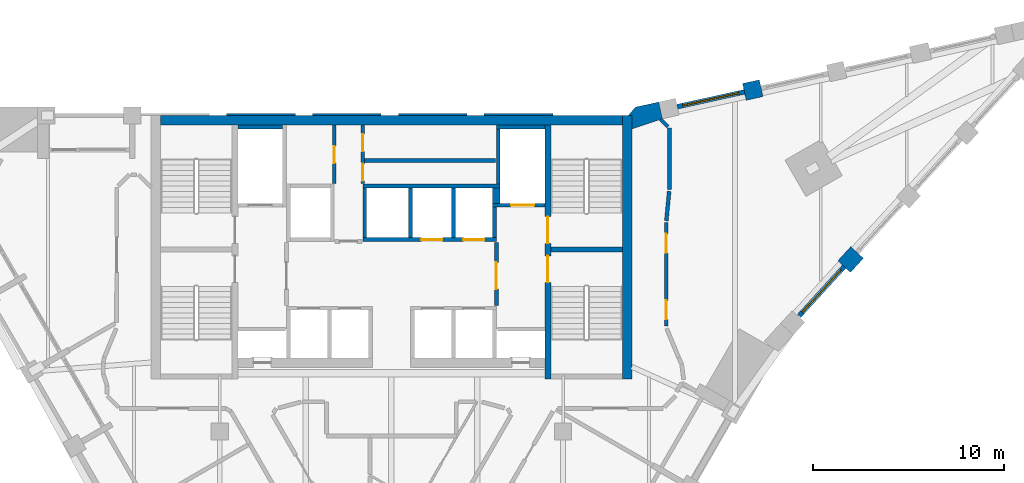
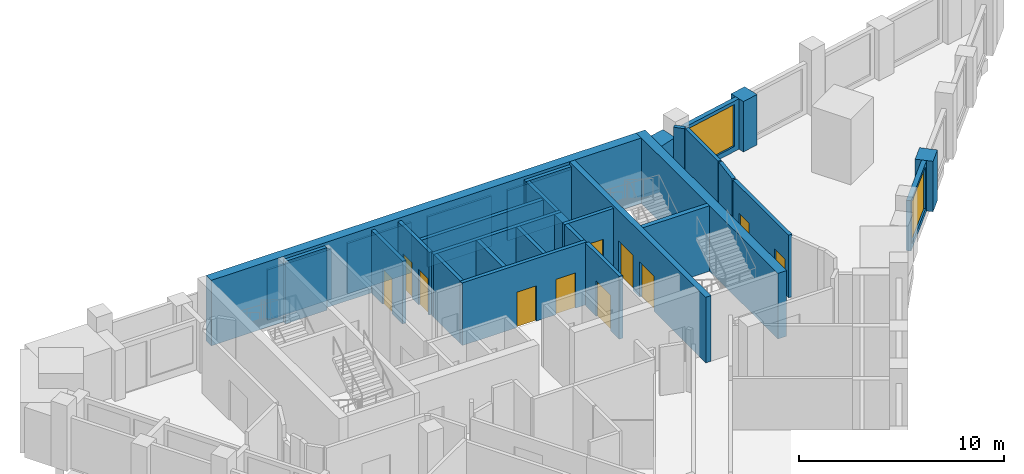
# One storey, part 6 of 8: 32 walls, 11 doors, 2 windows, 13 openings.
"""IFC4 building model written with IfcOpenShell, lengths in metres."""

from ifc_helpers import new_model, si_unit, direction, frame, frame_2d, origin, place, context, subcontext, project, spatial, polyline, rectangle, outline, extrude, material, layer, layer_set, type_object, element, fill, save


model = new_model("IFC4")

# Units and contexts
model_context = context("Model", 3, precision=1e-05, world=origin(), true_north=direction((0.0, 1.0)))
body_context = subcontext(model_context, "Body", "Model", "MODEL_VIEW")
ifc_project = project(units=[si_unit("LENGTHUNIT", "METRE"), si_unit("AREAUNIT", "SQUARE_METRE"), si_unit("VOLUMEUNIT", "CUBIC_METRE"), si_unit("PLANEANGLEUNIT", "RADIAN"), si_unit("MASSUNIT", "GRAM", prefix="KILO")], contexts=[model_context])

# Site, building, storey
site_placement = place(None, origin())
site = spatial("IfcSite", under=ifc_project, at=site_placement, CompositionType="ELEMENT")
building_placement = place(site_placement, origin())
building = spatial("IfcBuilding", under=site, at=building_placement, Name="Calabash Gate Tower", CompositionType="ELEMENT")
storey_placement = place(building_placement, frame((0.0, 0.0, 267.699951171875)))
storey = spatial("IfcBuildingStorey", under=building, at=storey_placement, Name="L64", CompositionType="ELEMENT", Elevation=267.699951171875)

# Walls
ifc_material_1 = material(Name="Terracotta brick masonry, exposed face", Category="masonry")
ifc_layer_1 = layer(ifc_material_1, 0.89990234375)
ifc_layer_set_1 = layer_set([ifc_layer_1], Name="Brick end wall 900")
wall_type_1 = type_object("IfcWallType", Name="Brick end wall 900", PredefinedType="SOLIDWALL", material=ifc_layer_set_1)
wall_1_placement = place(storey_placement, frame((23.728515625, 11.135009765625, 0.0), z_axis=(0.0, 0.0, 1.0), x_axis=(0.674788120713, 0.738011512203, 0.0)))
element("IfcWall", 1, at=wall_1_placement, inside=storey, type_object=wall_type_1, Name="Brick pier S18 wedge3.1", PredefinedType="SOLIDWALL", context=body_context, shape_type="SweptSolid", body=[
    extrude(rectangle(XDim=1.00390625, YDim=0.89990234375, at=frame_2d((0.501953125, 0.0))), origin(), (0.0, 0.0, 1.0), 3.0),
])
wall_2_placement = place(storey_placement, frame((18.4990234375, 20.2919921875, 0.0), z_axis=(0.0, 0.0, 1.0), x_axis=(0.976473402733, 0.215637876437, 0.0)))
element("IfcWall", 2, at=wall_2_placement, inside=storey, type_object=wall_type_1, Name="Brick pier S18 wedge5.3", PredefinedType="SOLIDWALL", context=body_context, shape_type="SweptSolid", body=[
    extrude(rectangle(XDim=0.900146484375, YDim=0.89990234375, at=frame_2d((0.4501953125, 0.0))), origin(), (0.0, 0.0, 1.0), 3.0),
])
wall_3_placement = place(storey_placement, origin())
element("IfcWall", 3, at=wall_3_placement, inside=storey, type_object=wall_type_1, Name="Brick end wall S18 3", PredefinedType="SOLIDWALL", context=body_context, shape_type="SweptSolid", body=[
    extrude(outline(polyline([(14.201416015625, 18.883056640625), (14.0078125, 19.761962890625), (12.784423828125, 19.491943359375), (12.410400390625, 19.052490234375), (12.60009765625, 19.052490234375), (12.60009765625, 18.351806640625), (14.201416015625, 18.883056640625)])), origin(), (0.0, 0.0, 1.0), 3.0),
])
ifc_material_2 = material(Name="Concrete C60/75", Category="concrete")
ifc_layer_2 = layer(ifc_material_2, 0.25)
ifc_layer_set_2 = layer_set([ifc_layer_2], Name="Core wall 250 Concrete C60/75")
wall_type_2 = type_object("IfcWallType", Name="Core wall 250 Concrete C60/75", PredefinedType="SHEAR", material=ifc_layer_set_2)
wall_4_placement = place(storey_placement, frame((8.35009765625, 12.027587890625, 0.0), z_axis=(0.0, 0.0, 1.0), x_axis=(1.0, 0.0, 0.0)))
element("IfcWall", 4, at=wall_4_placement, inside=storey, type_object=wall_type_2, Name="Core wall Z5-MIDE L64", PredefinedType="SHEAR", context=body_context, shape_type="SweptSolid", body=[
    extrude(rectangle(XDim=3.75, YDim=0.25, at=frame_2d((1.875, 0.0))), origin(), (0.0, 0.0, 1.0), 3.900146484375),
])

# Wall, openings, doors
ifc_material_3 = material(Name="Concrete C60/75", Category="concrete")
ifc_layer_3 = layer(ifc_material_3, 0.300048828125)
ifc_layer_set_3 = layer_set([ifc_layer_3], Name="Core wall 300 Concrete C60/75")
wall_type_3 = type_object("IfcWallType", Name="Core wall 300 Concrete C60/75", PredefinedType="SHEAR", material=ifc_layer_set_3)
wall_5_placement = place(storey_placement, frame((8.199951171875, 5.252685546875, 0.0), z_axis=(0.0, 0.0, 1.0), x_axis=(0.0, 1.0, 0.0)))
wall_5 = element("IfcWall", 5, at=wall_5_placement, inside=storey, type_object=wall_type_3, Name="Core wall Z5-PARTE L64", PredefinedType="SHEAR", context=body_context, shape_type="SweptSolid", body=[
    extrude(rectangle(XDim=13.2998046875, YDim=0.300048828125, at=frame_2d((6.64990234375, 0.0))), origin(), (0.0, 0.0, 1.0), 3.900146484375),
])
opening_1_placement = place(wall_5_placement, frame((7.10009765625, 0.0, 0.0)))
opening_1 = element("IfcOpeningElement", 6, at=opening_1_placement, cuts=wall_5, Name="Opening O10-011", PredefinedType="OPENING", context=body_context, shape_type="SweptSolid", body=[
    extrude(rectangle(XDim=1.39990234375, YDim=2.10009765625, at=frame_2d((0.699951171875, 1.050048828125))), frame((0.0, 0.159912109375, 0.0), z_axis=(0.0, -1.0, 0.0), x_axis=(1.0, 0.0, 0.0)), (0.0, 0.0, 1.0), 0.320068359375),
])
opening_2_placement = place(wall_5_placement, frame((5.050048828125, 0.0, 0.0)))
opening_2 = element("IfcOpeningElement", 7, at=opening_2_placement, cuts=wall_5, Name="Opening O10-012", PredefinedType="OPENING", context=body_context, shape_type="SweptSolid", body=[
    extrude(rectangle(XDim=1.39990234375, YDim=2.10009765625, at=frame_2d((0.699951171875, 1.050048828125))), frame((0.0, 0.159912109375, 0.0), z_axis=(0.0, -1.0, 0.0), x_axis=(1.0, 0.0, 0.0)), (0.0, 0.0, 1.0), 0.320068359375),
])
ifc_material_4 = material(Name="Steel fire door set with fire-resisting glazing", Category="steel")
door_type_1 = type_object("IfcDoorType", Name="Fire door D05 1400x2100 FD90", OperationType="NOTDEFINED", PredefinedType="DOOR", material=ifc_material_4)
door_1_placement = place(opening_1_placement, origin())
door_1 = element("IfcDoor", 8, at=door_1_placement, inside=storey, type_object=door_type_1, Name="Exit stair door ST3", OperationType="SINGLE_SWING_RIGHT", OverallHeight=2.10009765625, OverallWidth=1.39990234375, PredefinedType="DOOR", context=body_context, shape_type="SweptSolid", body=[
    extrude(rectangle(XDim=1.39990234375, YDim=2.10009765625, at=frame_2d((0.699951171875, 1.050048828125))), frame((0.0, 0.02490234375, 0.0), z_axis=(0.0, -1.0, 0.0), x_axis=(1.0, 0.0, 0.0)), (0.0, 0.0, 1.0), 0.050048828125),
])
fill(opening_1, door_1)
door_2_placement = place(opening_2_placement, origin())
door_2 = element("IfcDoor", 9, at=door_2_placement, inside=storey, type_object=door_type_1, Name="Exit stair door ST4", OperationType="SINGLE_SWING_LEFT", OverallHeight=2.10009765625, OverallWidth=1.39990234375, PredefinedType="DOOR", context=body_context, shape_type="SweptSolid", body=[
    extrude(rectangle(XDim=1.39990234375, YDim=2.10009765625, at=frame_2d((0.699951171875, 1.050048828125))), frame((0.0, 0.02490234375, 0.0), z_axis=(0.0, -1.0, 0.0), x_axis=(1.0, 0.0, 0.0)), (0.0, 0.0, 1.0), 0.050048828125),
])
fill(opening_2, door_2)

# Walls
ifc_material_5 = material(Name="Concrete C60/75", Category="concrete")
ifc_layer_4 = layer(ifc_material_5, 0.5)
ifc_layer_set_4 = layer_set([ifc_layer_4], Name="Core wall 500 Concrete C60/75")
wall_type_4 = type_object("IfcWallType", Name="Core wall 500 Concrete C60/75", PredefinedType="SHEAR", material=ifc_layer_set_4)
wall_6_placement = place(storey_placement, frame((-12.10009765625, 18.802490234375, 0.0), z_axis=(0.0, 0.0, 1.0), x_axis=(1.0, 0.0, 0.0)))
element("IfcWall", 10, at=wall_6_placement, inside=storey, type_object=wall_type_4, Name="Core wall Z5-N L64", PredefinedType="SHEAR", context=body_context, shape_type="SweptSolid", body=[
    extrude(rectangle(XDim=24.2001953125, YDim=0.5, at=frame_2d((12.10009765625, 0.0))), origin(), (0.0, 0.0, 1.0), 3.900146484375),
])
wall_7_placement = place(storey_placement, frame((12.35009765625, 5.252685546875, 0.0), z_axis=(0.0, 0.0, 1.0), x_axis=(0.0, 1.0, 0.0)))
element("IfcWall", 11, at=wall_7_placement, inside=storey, type_object=wall_type_4, Name="Core wall Z5-COLE L64", PredefinedType="SHEAR", context=body_context, shape_type="SweptSolid", body=[
    extrude(rectangle(XDim=13.7998046875, YDim=0.5, at=frame_2d((6.89990234375, 0.0))), origin(), (0.0, 0.0, 1.0), 3.900146484375),
])

# Wall, openings, doors
ifc_material_6 = material(Name="Gypsum board on steel studs, mineral wool", Category="steel")
ifc_layer_5 = layer(ifc_material_6, 0.199951171875)
ifc_layer_set_5 = layer_set([ifc_layer_5], Name="Partition 200 gypsum board EI 60")
wall_type_5 = type_object("IfcWallType", Name="Partition 200 gypsum board EI 60", PredefinedType="PARTITIONING", material=ifc_layer_set_5)
wall_8_placement = place(storey_placement, frame((14.400390625, 8.017333984375, 0.0), z_axis=(0.0, 0.0, 1.0), x_axis=(0.0, 1.0, 0.0)))
wall_8 = element("IfcWall", 12, at=wall_8_placement, inside=storey, type_object=wall_type_5, Name="Partition", PredefinedType="PARTITIONING", context=body_context, shape_type="SweptSolid", body=[
    extrude(rectangle(XDim=5.419189453125, YDim=0.199951171875, at=frame_2d((2.70947265625, 0.0))), origin(), (0.0, 0.0, 1.0), 3.72998046875),
])
opening_3_placement = place(wall_8_placement, frame((3.83544921875, 0.0, 0.0)))
opening_3 = element("IfcOpeningElement", 13, at=opening_3_placement, cuts=wall_8, Name="Opening 62-64-008", PredefinedType="OPENING", context=body_context, shape_type="SweptSolid", body=[
    extrude(rectangle(XDim=1.0, YDim=2.10009765625, at=frame_2d((0.5, 1.050048828125))), frame((0.0, 0.10986328125, 0.0), z_axis=(0.0, -1.0, 0.0), x_axis=(1.0, 0.0, 0.0)), (0.0, 0.0, 1.0), 0.219970703125),
])
opening_4_placement = place(wall_8_placement, frame((0.35009765625, 0.0, 0.0)))
opening_4 = element("IfcOpeningElement", 14, at=opening_4_placement, cuts=wall_8, Name="Opening 62-64-009", PredefinedType="OPENING", context=body_context, shape_type="SweptSolid", body=[
    extrude(rectangle(XDim=1.0, YDim=2.10009765625, at=frame_2d((0.5, 1.050048828125))), frame((0.0, 0.10986328125, 0.0), z_axis=(0.0, -1.0, 0.0), x_axis=(1.0, 0.0, 0.0)), (0.0, 0.0, 1.0), 0.219970703125),
])
ifc_material_7 = material(Name="Steel fire door set with fire-resisting glazing", Category="steel")
door_type_2 = type_object("IfcDoorType", Name="LD2 Meeting room door 1000x2100", OperationType="NOTDEFINED", PredefinedType="DOOR", material=ifc_material_7)
door_3_placement = place(opening_3_placement, origin())
door_3 = element("IfcDoor", 15, at=door_3_placement, inside=storey, type_object=door_type_2, Name="Meeting room door", OperationType="SINGLE_SWING_RIGHT", OverallHeight=2.10009765625, OverallWidth=1.0, PredefinedType="DOOR", context=body_context, shape_type="SweptSolid", body=[
    extrude(rectangle(XDim=1.0, YDim=2.10009765625, at=frame_2d((0.5, 1.050048828125))), frame((0.0, 0.02490234375, 0.0), z_axis=(0.0, -1.0, 0.0), x_axis=(1.0, 0.0, 0.0)), (0.0, 0.0, 1.0), 0.050048828125),
])
fill(opening_3, door_3)
door_4_placement = place(opening_4_placement, origin())
door_4 = element("IfcDoor", 16, at=door_4_placement, inside=storey, type_object=door_type_2, Name="Meeting room door", OperationType="SINGLE_SWING_LEFT", OverallHeight=2.10009765625, OverallWidth=1.0, PredefinedType="DOOR", context=body_context, shape_type="SweptSolid", body=[
    extrude(rectangle(XDim=1.0, YDim=2.10009765625, at=frame_2d((0.5, 1.050048828125))), frame((0.0, 0.02490234375, 0.0), z_axis=(0.0, -1.0, 0.0), x_axis=(1.0, 0.0, 0.0)), (0.0, 0.0, 1.0), 0.050048828125),
])
fill(opening_4, door_4)

# Walls
wall_9_placement = place(storey_placement, frame((14.409912109375, 13.5361328125, 0.0), z_axis=(0.0, 0.0, 1.0), x_axis=(0.094453682086, 0.9955292572, 0.0)))
element("IfcWall", 17, at=wall_9_placement, inside=storey, type_object=wall_type_5, Name="Partition", PredefinedType="PARTITIONING", context=body_context, shape_type="SweptSolid", body=[
    extrude(rectangle(XDim=1.555908203125, YDim=0.199951171875, at=frame_2d((0.77783203125, 0.0))), origin(), (0.0, 0.0, 1.0), 3.72998046875),
])
wall_10_placement = place(storey_placement, frame((14.566162109375, 18.392578125, 0.0), z_axis=(0.0, 0.0, 1.0), x_axis=(0.0, -1.0, 0.0)))
element("IfcWall", 18, at=wall_10_placement, inside=storey, type_object=wall_type_5, Name="Partition", PredefinedType="PARTITIONING", context=body_context, shape_type="SweptSolid", body=[
    extrude(rectangle(XDim=3.2080078125, YDim=0.199951171875, at=frame_2d((1.60400390625, 0.0))), origin(), (0.0, 0.0, 1.0), 3.72998046875),
])
wall_11_placement = place(storey_placement, frame((14.107177734375, 18.851806640625, 0.0), z_axis=(0.0, 0.0, 1.0), x_axis=(0.707106781187, -0.707106781187, 0.0)))
element("IfcWall", 19, at=wall_11_placement, inside=storey, type_object=wall_type_5, Name="Partition", PredefinedType="PARTITIONING", context=body_context, shape_type="SweptSolid", body=[
    extrude(rectangle(XDim=0.54931640625, YDim=0.199951171875, at=frame_2d((0.274658203125, 0.0))), origin(), (0.0, 0.0, 1.0), 3.72998046875),
])

# Wall, opening, window
ifc_material_8 = material(Name="Aluminium framed window wall with insulated spandrel", Category="aluminium")
ifc_layer_6 = layer(ifc_material_8, 0.25)
ifc_layer_set_6 = layer_set([ifc_layer_6], Name="Prow window wall 250")
wall_type_6 = type_object("IfcWallType", Name="Prow window wall 250", PredefinedType="ELEMENTEDWALL", material=ifc_layer_set_6)
wall_12_placement = place(storey_placement, frame((21.367919921875, 8.5537109375, 0.0), z_axis=(0.0, 0.0, 1.0), x_axis=(0.67487449122, 0.737932531537, 0.0)))
wall_12 = element("IfcWall", 20, at=wall_12_placement, inside=storey, type_object=wall_type_6, Name="Prow window wall S18 wedge3.1", PredefinedType="ELEMENTEDWALL", context=body_context, shape_type="SweptSolid", body=[
    extrude(rectangle(XDim=3.5, YDim=0.25, at=frame_2d((1.75, 0.0))), origin(), (0.0, 0.0, 1.0), 3.0),
])
opening_5_placement = place(wall_12_placement, frame((0.25, 0.0, 0.300048828125)))
opening_5 = element("IfcOpeningElement", 21, at=opening_5_placement, cuts=wall_12, Name="Opening WP2", PredefinedType="OPENING", context=body_context, shape_type="SweptSolid", body=[
    extrude(rectangle(XDim=3.0, YDim=2.5, at=frame_2d((1.5, 1.25))), frame((0.0, 0.135009765625, 0.0), z_axis=(0.0, -1.0, 0.0), x_axis=(1.0, 0.0, 0.0)), (0.0, 0.0, 1.0), 0.27001953125),
])
ifc_material_9 = material(Name="Anodised aluminium frame, bronze finish, impact-rated laminated clear glazing", Category="aluminium")
window_type = type_object("IfcWindowType", Name="Window WP2 3000x2500", PartitioningType="DOUBLE_PANEL_VERTICAL", PredefinedType="WINDOW", material=ifc_material_9)
window_1_placement = place(opening_5_placement, origin())
window_1 = element("IfcWindow", 22, at=window_1_placement, inside=storey, type_object=window_type, Name="Prow window WP2 S18 wedge3.1", OverallHeight=2.5, OverallWidth=3.0, PartitioningType="SINGLE_PANEL", PredefinedType="WINDOW", context=body_context, shape_type="SweptSolid", body=[
    extrude(rectangle(XDim=3.0, YDim=2.5, at=frame_2d((1.5, 1.25))), frame((0.0, 0.030029296875, 0.0), z_axis=(0.0, -1.0, 0.0), x_axis=(1.0, 0.0, 0.0)), (0.0, 0.0, 1.0), 0.06005859375),
])
fill(opening_5, window_1)

wall_13_placement = place(storey_placement, frame((18.4990234375, 20.2919921875, 0.0), z_axis=(0.0, 0.0, 1.0), x_axis=(-0.976513072969, -0.215458159096, 0.0)))
wall_13 = element("IfcWall", 23, at=wall_13_placement, inside=storey, type_object=wall_type_6, Name="Prow window wall S18 wedge5.4", PredefinedType="ELEMENTEDWALL", context=body_context, shape_type="SweptSolid", body=[
    extrude(rectangle(XDim=3.599853515625, YDim=0.25, at=frame_2d((1.7998046875, 0.0))), origin(), (0.0, 0.0, 1.0), 3.0),
])
opening_6_placement = place(wall_13_placement, frame((0.300048828125, 0.0, 0.300048828125)))
opening_6 = element("IfcOpeningElement", 24, at=opening_6_placement, cuts=wall_13, Name="Opening WP2", PredefinedType="OPENING", context=body_context, shape_type="SweptSolid", body=[
    extrude(rectangle(XDim=3.0, YDim=2.5, at=frame_2d((1.5, 1.25))), frame((0.0, 0.135009765625, 0.0), z_axis=(0.0, -1.0, 0.0), x_axis=(1.0, 0.0, 0.0)), (0.0, 0.0, 1.0), 0.27001953125),
])
window_2_placement = place(opening_6_placement, origin())
window_2 = element("IfcWindow", 25, at=window_2_placement, inside=storey, type_object=window_type, Name="Prow window WP2 S18 wedge5.4", OverallHeight=2.5, OverallWidth=3.0, PartitioningType="SINGLE_PANEL", PredefinedType="WINDOW", context=body_context, shape_type="SweptSolid", body=[
    extrude(rectangle(XDim=3.0, YDim=2.5, at=frame_2d((1.5, 1.25))), frame((0.0, 0.030029296875, 0.0), z_axis=(0.0, -1.0, 0.0), x_axis=(1.0, 0.0, 0.0)), (0.0, 0.0, 1.0), 0.06005859375),
])
fill(opening_6, window_2)

# Wall, opening, door
ifc_material_10 = material(Name="Concrete C40/50", Category="concrete")
ifc_layer_7 = layer(ifc_material_10, 0.199951171875)
ifc_layer_set_7 = layer_set([ifc_layer_7], Name="Shaft wall 200 Concrete C40/50")
wall_type_7 = type_object("IfcWallType", Name="Shaft wall 200 Concrete C40/50", PredefinedType="SOLIDWALL", material=ifc_layer_set_7)
wall_14_placement = place(storey_placement, frame((5.5, 9.1025390625, 0.0), z_axis=(0.0, 0.0, 1.0), x_axis=(0.0, 1.0, 0.0)))
wall_14 = element("IfcWall", 26, at=wall_14_placement, inside=storey, type_object=wall_type_7, Name="Shaft wall", PredefinedType="SOLIDWALL", context=body_context, shape_type="SweptSolid", body=[
    extrude(rectangle(XDim=3.300048828125, YDim=0.199951171875, at=frame_2d((1.64990234375, 0.0))), origin(), (0.0, 0.0, 1.0), 3.72998046875),
])
opening_7_placement = place(wall_14_placement, frame((0.85009765625, 0.0, 0.0)))
opening_7 = element("IfcOpeningElement", 27, at=opening_7_placement, cuts=wall_14, Name="Opening O10-002", PredefinedType="OPENING", context=body_context, shape_type="SweptSolid", body=[
    extrude(rectangle(XDim=1.39990234375, YDim=2.10009765625, at=frame_2d((0.699951171875, 1.050048828125))), frame((0.0, 0.10986328125, 0.0), z_axis=(0.0, -1.0, 0.0), x_axis=(1.0, 0.0, 0.0)), (0.0, 0.0, 1.0), 0.219970703125),
])
door_5_placement = place(opening_7_placement, origin())
door_5 = element("IfcDoor", 28, at=door_5_placement, inside=storey, type_object=door_type_1, Name="Firefighting Lobby E door", OperationType="SINGLE_SWING_LEFT", OverallHeight=2.10009765625, OverallWidth=1.39990234375, PredefinedType="DOOR", context=body_context, shape_type="SweptSolid", body=[
    extrude(rectangle(XDim=1.39990234375, YDim=2.10009765625, at=frame_2d((0.699951171875, 1.050048828125))), frame((0.0, 0.02490234375, 0.0), z_axis=(0.0, -1.0, 0.0), x_axis=(1.0, 0.0, 0.0)), (0.0, 0.0, 1.0), 0.050048828125),
])
fill(opening_7, door_5)

# Wall, openings, doors
wall_15_placement = place(storey_placement, frame((-1.5, 12.552490234375, 0.0), z_axis=(0.0, 0.0, 1.0), x_axis=(1.0, 0.0, 0.0)))
wall_15 = element("IfcWall", 29, at=wall_15_placement, inside=storey, type_object=wall_type_7, Name="Shaft wall", PredefinedType="SOLIDWALL", context=body_context, shape_type="SweptSolid", body=[
    extrude(rectangle(XDim=7.0, YDim=0.199951171875, at=frame_2d((3.5, 0.0))), origin(), (0.0, 0.0, 1.0), 3.72998046875),
])
opening_8_placement = place(wall_15_placement, frame((3.074951171875, 0.0, 0.0)))
opening_8 = element("IfcOpeningElement", 30, at=opening_8_placement, cuts=wall_15, Name="Opening LD-HR5", PredefinedType="OPENING", context=body_context, shape_type="SweptSolid", body=[
    extrude(rectangle(XDim=1.10009765625, YDim=2.10009765625, at=frame_2d((0.550048828125, 1.050048828125))), frame((0.0, 0.10986328125, 0.0), z_axis=(0.0, -1.0, 0.0), x_axis=(1.0, 0.0, 0.0)), (0.0, 0.0, 1.0), 0.219970703125),
])
opening_9_placement = place(wall_15_placement, frame((5.27490234375, 0.0, 0.0)))
opening_9 = element("IfcOpeningElement", 31, at=opening_9_placement, cuts=wall_15, Name="Opening LD-HR6", PredefinedType="OPENING", context=body_context, shape_type="SweptSolid", body=[
    extrude(rectangle(XDim=1.10009765625, YDim=2.10009765625, at=frame_2d((0.550048828125, 1.050048828125))), frame((0.0, 0.10986328125, 0.0), z_axis=(0.0, -1.0, 0.0), x_axis=(1.0, 0.0, 0.0)), (0.0, 0.0, 1.0), 0.219970703125),
])
ifc_material_11 = material(Name="Stainless steel sliding door leaves", Category="steel")
door_type_3 = type_object("IfcDoorType", Name="Lift landing door LS1 1100x2100 FD90", OperationType="DOUBLE_DOOR_SLIDING", PredefinedType="DOOR", material=ifc_material_11)
door_6_placement = place(opening_8_placement, origin())
door_6 = element("IfcDoor", 32, at=door_6_placement, inside=storey, type_object=door_type_3, Name="Lift landing door HR5", OperationType="DOUBLE_DOOR_SLIDING", OverallHeight=2.10009765625, OverallWidth=1.10009765625, PredefinedType="DOOR", context=body_context, shape_type="SweptSolid", body=[
    extrude(rectangle(XDim=1.10009765625, YDim=2.10009765625, at=frame_2d((0.550048828125, 1.050048828125))), frame((0.0, 0.02490234375, 0.0), z_axis=(0.0, -1.0, 0.0), x_axis=(1.0, 0.0, 0.0)), (0.0, 0.0, 1.0), 0.050048828125),
])
fill(opening_8, door_6)
door_7_placement = place(opening_9_placement, origin())
door_7 = element("IfcDoor", 33, at=door_7_placement, inside=storey, type_object=door_type_3, Name="Lift landing door HR6", OperationType="DOUBLE_DOOR_SLIDING", OverallHeight=2.10009765625, OverallWidth=1.10009765625, PredefinedType="DOOR", context=body_context, shape_type="SweptSolid", body=[
    extrude(rectangle(XDim=1.10009765625, YDim=2.10009765625, at=frame_2d((0.550048828125, 1.050048828125))), frame((0.0, 0.02490234375, 0.0), z_axis=(0.0, -1.0, 0.0), x_axis=(1.0, 0.0, 0.0)), (0.0, 0.0, 1.0), 0.050048828125),
])
fill(opening_9, door_7)

# Walls
for number, where, z_axis, x_axis, name in (
    (34, (-1.39990234375, 12.652587890625, 0.0), (0.0, 0.0, 1.0), (0.0, 1.0, 0.0), "Shaft wall"),
    (35, (1.0, 12.652587890625, 0.0), (0.0, 0.0, 1.0), (0.0, 1.0, 0.0), "Shaft wall"),
    (36, (3.25, 12.652587890625, 0.0), (0.0, 0.0, 1.0), (0.0, 1.0, 0.0), "Shaft wall"),
):
    element("IfcWall", number, at=place(storey_placement, frame(where, z_axis=z_axis, x_axis=x_axis)), inside=storey, type_object=wall_type_7, Name=name, PredefinedType="SOLIDWALL", context=body_context, shape_type="SweptSolid", body=[
        extrude(rectangle(XDim=2.60009765625, YDim=0.199951171875, at=frame_2d((1.300048828125, 0.0))), origin(), (0.0, 0.0, 1.0), 3.72998046875),
    ])
wall_16_placement = place(storey_placement, frame((5.39990234375, 12.652587890625, 0.0), z_axis=(0.0, 0.0, 1.0), x_axis=(0.0, 1.0, 0.0)))
element("IfcWall", 37, at=wall_16_placement, inside=storey, type_object=wall_type_7, Name="Shaft wall", PredefinedType="SOLIDWALL", context=body_context, shape_type="SweptSolid", body=[
    extrude(rectangle(XDim=1.60009765625, YDim=0.199951171875, at=frame_2d((0.800048828125, 0.0))), origin(), (0.0, 0.0, 1.0), 3.72998046875),
])

# Wall, opening, door
wall_17_placement = place(storey_placement, frame((5.300048828125, 14.3525390625, 0.0), z_axis=(0.0, 0.0, 1.0), x_axis=(1.0, 0.0, 0.0)))
wall_17 = element("IfcWall", 38, at=wall_17_placement, inside=storey, type_object=wall_type_7, Name="Shaft wall", PredefinedType="SOLIDWALL", context=body_context, shape_type="SweptSolid", body=[
    extrude(rectangle(XDim=2.75, YDim=0.199951171875, at=frame_2d((1.375, 0.0))), origin(), (0.0, 0.0, 1.0), 3.72998046875),
])
opening_10_placement = place(wall_17_placement, frame((0.97509765625, 0.0, 0.0)))
opening_10 = element("IfcOpeningElement", 39, at=opening_10_placement, cuts=wall_17, Name="Opening LD-FF2", PredefinedType="OPENING", context=body_context, shape_type="SweptSolid", body=[
    extrude(rectangle(XDim=1.199951171875, YDim=2.10009765625, at=frame_2d((0.60009765625, 1.050048828125))), frame((0.0, 0.10986328125, 0.0), z_axis=(0.0, -1.0, 0.0), x_axis=(1.0, 0.0, 0.0)), (0.0, 0.0, 1.0), 0.219970703125),
])
ifc_material_12 = material(Name="Stainless steel sliding door leaves", Category="steel")
door_type_4 = type_object("IfcDoorType", Name="Lift landing door LS3 1200x2100 FD90", OperationType="DOUBLE_DOOR_SLIDING", PredefinedType="DOOR", material=ifc_material_12)
door_8_placement = place(opening_10_placement, origin())
door_8 = element("IfcDoor", 40, at=door_8_placement, inside=storey, type_object=door_type_4, Name="Lift landing door FF2", OperationType="DOUBLE_DOOR_SLIDING", OverallHeight=2.10009765625, OverallWidth=1.199951171875, PredefinedType="DOOR", context=body_context, shape_type="SweptSolid", body=[
    extrude(rectangle(XDim=1.199951171875, YDim=2.10009765625, at=frame_2d((0.60009765625, 1.050048828125))), frame((0.0, 0.02490234375, 0.0), z_axis=(0.0, -1.0, 0.0), x_axis=(1.0, 0.0, 0.0)), (0.0, 0.0, 1.0), 0.050048828125),
])
fill(opening_10, door_8)

# Walls
wall_18_placement = place(storey_placement, frame((5.5, 14.45263671875, 0.0), z_axis=(0.0, 0.0, 1.0), x_axis=(0.0, 1.0, 0.0)))
element("IfcWall", 41, at=wall_18_placement, inside=storey, type_object=wall_type_7, Name="Shaft wall", PredefinedType="SOLIDWALL", context=body_context, shape_type="SweptSolid", body=[
    extrude(rectangle(XDim=0.800048828125, YDim=0.39990234375, at=frame_2d((0.39990234375, 0.0))), origin(), (0.0, 0.0, 1.0), 3.72998046875),
])
wall_19_placement = place(storey_placement, frame((-1.5, 15.3525390625, 0.0), z_axis=(0.0, 0.0, 1.0), x_axis=(1.0, 0.0, 0.0)))
element("IfcWall", 42, at=wall_19_placement, inside=storey, type_object=wall_type_7, Name="Shaft wall", PredefinedType="SOLIDWALL", context=body_context, shape_type="SweptSolid", body=[
    extrude(rectangle(XDim=7.199951171875, YDim=0.199951171875, at=frame_2d((3.60009765625, 0.0))), origin(), (0.0, 0.0, 1.0), 3.72998046875),
])
wall_20_placement = place(storey_placement, frame((5.60009765625, 15.45263671875, 0.0), z_axis=(0.0, 0.0, 1.0), x_axis=(0.0, 1.0, 0.0)))
element("IfcWall", 43, at=wall_20_placement, inside=storey, type_object=wall_type_7, Name="Shaft wall", PredefinedType="SOLIDWALL", context=body_context, shape_type="SweptSolid", body=[
    extrude(rectangle(XDim=2.89990234375, YDim=0.199951171875, at=frame_2d((1.449951171875, 0.0))), origin(), (0.0, 0.0, 1.0), 3.72998046875),
])

# Wall, opening, door
wall_21_placement = place(storey_placement, frame((-3.0, 15.502685546875, 0.0), z_axis=(0.0, 0.0, 1.0), x_axis=(0.0, 1.0, 0.0)))
wall_21 = element("IfcWall", 44, at=wall_21_placement, inside=storey, type_object=wall_type_7, Name="Shaft wall", PredefinedType="SOLIDWALL", context=body_context, shape_type="SweptSolid", body=[
    extrude(rectangle(XDim=3.0498046875, YDim=0.199951171875, at=frame_2d((1.52490234375, 0.0))), origin(), (0.0, 0.0, 1.0), 3.72998046875),
])
opening_11_placement = place(wall_21_placement, frame((1.050048828125, 0.0, 0.0)))
opening_11 = element("IfcOpeningElement", 45, at=opening_11_placement, cuts=wall_21, Name="Opening O10-004", PredefinedType="OPENING", context=body_context, shape_type="SweptSolid", body=[
    extrude(rectangle(XDim=0.89990234375, YDim=2.10009765625, at=frame_2d((0.449951171875, 1.050048828125))), frame((0.0, 0.10986328125, 0.0), z_axis=(0.0, -1.0, 0.0), x_axis=(1.0, 0.0, 0.0)), (0.0, 0.0, 1.0), 0.219970703125),
])
ifc_material_13 = material(Name="Steel fire door set with fire-resisting glazing", Category="steel")
door_type_5 = type_object("IfcDoorType", Name="Fire door D06 900x2100 FD60", OperationType="NOTDEFINED", PredefinedType="DOOR", material=ifc_material_13)
door_9_placement = place(opening_11_placement, origin())
door_9 = element("IfcDoor", 46, at=door_9_placement, inside=storey, type_object=door_type_5, Name="Accessible WC door", OperationType="SINGLE_SWING_LEFT", OverallHeight=2.10009765625, OverallWidth=0.89990234375, PredefinedType="DOOR", context=body_context, shape_type="SweptSolid", body=[
    extrude(rectangle(XDim=0.89990234375, YDim=2.10009765625, at=frame_2d((0.449951171875, 1.050048828125))), frame((0.0, 0.02490234375, 0.0), z_axis=(0.0, -1.0, 0.0), x_axis=(1.0, 0.0, 0.0)), (0.0, 0.0, 1.0), 0.050048828125),
])
fill(opening_11, door_9)

# Wall, openings, doors
wall_22_placement = place(storey_placement, frame((-1.5, 15.502685546875, 0.0), z_axis=(0.0, 0.0, 1.0), x_axis=(0.0, 1.0, 0.0)))
wall_22 = element("IfcWall", 47, at=wall_22_placement, inside=storey, type_object=wall_type_7, Name="Shaft wall", PredefinedType="SOLIDWALL", context=body_context, shape_type="SweptSolid", body=[
    extrude(rectangle(XDim=3.0498046875, YDim=0.199951171875, at=frame_2d((1.52490234375, 0.0))), origin(), (0.0, 0.0, 1.0), 3.72998046875),
])
opening_12_placement = place(wall_22_placement, frame((0.1201171875, 0.0, 0.0)))
opening_12 = element("IfcOpeningElement", 48, at=opening_12_placement, cuts=wall_22, Name="Opening O10-005", PredefinedType="OPENING", context=body_context, shape_type="SweptSolid", body=[
    extrude(rectangle(XDim=0.89990234375, YDim=2.10009765625, at=frame_2d((0.449951171875, 1.050048828125))), frame((0.0, 0.10986328125, 0.0), z_axis=(0.0, -1.0, 0.0), x_axis=(1.0, 0.0, 0.0)), (0.0, 0.0, 1.0), 0.219970703125),
])
opening_13_placement = place(wall_22_placement, frame((1.669921875, 0.0, 0.0)))
opening_13 = element("IfcOpeningElement", 49, at=opening_13_placement, cuts=wall_22, Name="Opening O10-006", PredefinedType="OPENING", context=body_context, shape_type="SweptSolid", body=[
    extrude(rectangle(XDim=0.89990234375, YDim=2.10009765625, at=frame_2d((0.449951171875, 1.050048828125))), frame((0.0, 0.10986328125, 0.0), z_axis=(0.0, -1.0, 0.0), x_axis=(1.0, 0.0, 0.0)), (0.0, 0.0, 1.0), 0.219970703125),
])
door_10_placement = place(opening_12_placement, origin())
door_10 = element("IfcDoor", 50, at=door_10_placement, inside=storey, type_object=door_type_5, Name="Meter Room door", OperationType="SINGLE_SWING_LEFT", OverallHeight=2.10009765625, OverallWidth=0.89990234375, PredefinedType="DOOR", context=body_context, shape_type="SweptSolid", body=[
    extrude(rectangle(XDim=0.89990234375, YDim=2.10009765625, at=frame_2d((0.449951171875, 1.050048828125))), frame((0.0, 0.02490234375, 0.0), z_axis=(0.0, -1.0, 0.0), x_axis=(1.0, 0.0, 0.0)), (0.0, 0.0, 1.0), 0.050048828125),
])
fill(opening_12, door_10)
door_11_placement = place(opening_13_placement, origin())
door_11 = element("IfcDoor", 51, at=door_11_placement, inside=storey, type_object=door_type_5, Name="Cleaner's Store door", OperationType="SINGLE_SWING_LEFT", OverallHeight=2.10009765625, OverallWidth=0.89990234375, PredefinedType="DOOR", context=body_context, shape_type="SweptSolid", body=[
    extrude(rectangle(XDim=0.89990234375, YDim=2.10009765625, at=frame_2d((0.449951171875, 1.050048828125))), frame((0.0, 0.02490234375, 0.0), z_axis=(0.0, -1.0, 0.0), x_axis=(1.0, 0.0, 0.0)), (0.0, 0.0, 1.0), 0.050048828125),
])
fill(opening_13, door_11)

# Walls
wall_23_placement = place(storey_placement, frame((-1.39990234375, 16.692626953125, 0.0), z_axis=(0.0, 0.0, 1.0), x_axis=(1.0, 0.0, 0.0)))
element("IfcWall", 52, at=wall_23_placement, inside=storey, type_object=wall_type_7, Name="Shaft wall", PredefinedType="SOLIDWALL", context=body_context, shape_type="SweptSolid", body=[
    extrude(rectangle(XDim=6.849853515625, YDim=0.199951171875, at=frame_2d((3.4248046875, 0.0))), origin(), (0.0, 0.0, 1.0), 3.72998046875),
])
wall_24_placement = place(storey_placement, frame((-8.050048828125, 18.45263671875, 0.0), z_axis=(0.0, 0.0, 1.0), x_axis=(1.0, 0.0, 0.0)))
element("IfcWall", 53, at=wall_24_placement, inside=storey, type_object=wall_type_7, Name="Shaft wall", PredefinedType="SOLIDWALL", context=body_context, shape_type="SweptSolid", body=[
    extrude(rectangle(XDim=2.35009765625, YDim=0.199951171875, at=frame_2d((1.175048828125, 0.0))), origin(), (0.0, 0.0, 1.0), 3.72998046875),
])
wall_25_placement = place(storey_placement, frame((5.5, 18.45263671875, 0.0), z_axis=(0.0, 0.0, 1.0), x_axis=(1.0, 0.0, 0.0)))
element("IfcWall", 54, at=wall_25_placement, inside=storey, type_object=wall_type_7, Name="Shaft wall", PredefinedType="SOLIDWALL", context=body_context, shape_type="SweptSolid", body=[
    extrude(rectangle(XDim=2.550048828125, YDim=0.199951171875, at=frame_2d((1.27490234375, 0.0))), origin(), (0.0, 0.0, 1.0), 3.72998046875),
])
ifc_material_14 = material(Name="Terracotta brick masonry, perforated", Category="masonry")
ifc_layer_8 = layer(ifc_material_14, 0.1201171875)
ifc_layer_set_8 = layer_set([ifc_layer_8], Name="Terracotta jaali cladding B 120")
wall_type_8 = type_object("IfcWallType", Name="Terracotta jaali cladding B 120", PredefinedType="SOLIDWALL", material=ifc_layer_set_8)
wall_26_placement = place(storey_placement, origin())
element("IfcWall", 55, at=wall_26_placement, inside=storey, type_object=wall_type_8, Name="Jaali cladding S18 N6.1", PredefinedType="SOLIDWALL", context=body_context, shape_type="SweptSolid", body=[
    extrude(outline(polyline([(4.861572265625, 19.172607421875), (4.861572265625, 19.052490234375), (8.46142578125, 19.052490234375), (8.46142578125, 19.172607421875), (4.861572265625, 19.172607421875)])), origin(), (0.0, 0.0, 1.0), 3.0),
])
wall_27_placement = place(storey_placement, origin())
element("IfcWall", 56, at=wall_27_placement, inside=storey, type_object=wall_type_8, Name="Jaali cladding S18 N6.3", PredefinedType="SOLIDWALL", context=body_context, shape_type="SweptSolid", body=[
    extrude(outline(polyline([(-4.138427734375, 19.172607421875), (-4.138427734375, 19.052490234375), (-0.53857421875, 19.052490234375), (-0.53857421875, 19.172607421875), (-4.138427734375, 19.172607421875)])), origin(), (0.0, 0.0, 1.0), 3.0),
])
ifc_material_15 = material(Name="Terracotta louvre blades in an aluminium frame", Category="masonry")
ifc_layer_9 = layer(ifc_material_15, 0.1201171875)
ifc_layer_set_9 = layer_set([ifc_layer_9], Name="Terracotta vent louvre cladding 120")
wall_type_9 = type_object("IfcWallType", Name="Terracotta vent louvre cladding 120", PredefinedType="ELEMENTEDWALL", material=ifc_layer_set_9)
wall_28_placement = place(storey_placement, origin())
element("IfcWall", 57, at=wall_28_placement, inside=storey, type_object=wall_type_9, Name="Vent louvre cladding S18 N6.2", PredefinedType="ELEMENTEDWALL", context=body_context, shape_type="SweptSolid", body=[
    extrude(outline(polyline([(0.361572265625, 19.172607421875), (0.361572265625, 19.052490234375), (3.96142578125, 19.052490234375), (3.96142578125, 19.172607421875), (0.361572265625, 19.172607421875)])), origin(), (0.0, 0.0, 1.0), 3.0),
])
wall_29_placement = place(storey_placement, origin())
element("IfcWall", 58, at=wall_29_placement, inside=storey, type_object=wall_type_9, Name="Vent louvre cladding S18 N6.4", PredefinedType="ELEMENTEDWALL", context=body_context, shape_type="SweptSolid", body=[
    extrude(outline(polyline([(-8.638427734375, 19.172607421875), (-8.638427734375, 19.052490234375), (-5.03857421875, 19.052490234375), (-5.03857421875, 19.172607421875), (-8.638427734375, 19.172607421875)])), origin(), (0.0, 0.0, 1.0), 3.0),
])

save(model, "model.ifc")
